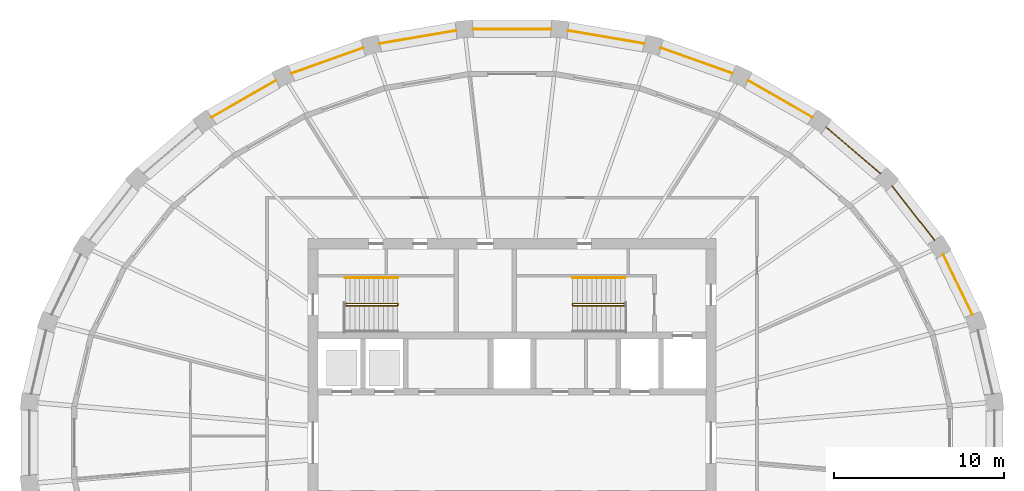
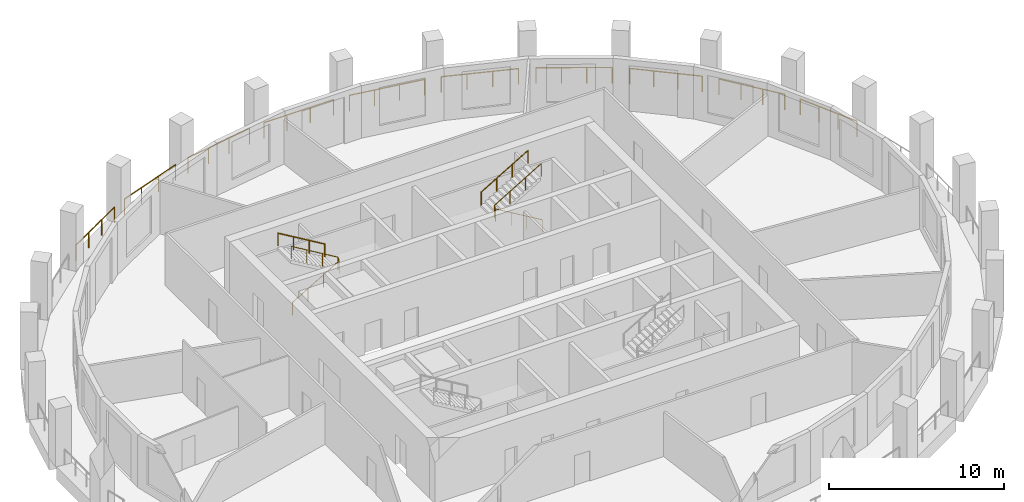
# One storey, part 9 of 10: 14 railings.
"""IFC4 building model written with IfcOpenShell, lengths in metres."""

from ifc_helpers import new_model, si_unit, direction, frame, origin, origin_2d, place, context, subcontext, project, spatial, circle, extrude, material, type_object, element, save


model = new_model("IFC4")

# Units and contexts
model_context = context("Model", 3, precision=1e-05, world=origin(), true_north=direction((0.0, 1.0)))
body_context = subcontext(model_context, "Body", "Model", "MODEL_VIEW")
ifc_project = project(units=[si_unit("LENGTHUNIT", "METRE"), si_unit("AREAUNIT", "SQUARE_METRE"), si_unit("VOLUMEUNIT", "CUBIC_METRE"), si_unit("PLANEANGLEUNIT", "RADIAN"), si_unit("MASSUNIT", "GRAM", prefix="KILO")], contexts=[model_context])

# Site, building, storey
site_placement = place(None, origin())
site = spatial("IfcSite", under=ifc_project, at=site_placement, CompositionType="ELEMENT")
building_placement = place(site_placement, origin())
building = spatial("IfcBuilding", under=site, at=building_placement, Name="Halqa Exchange Tower", CompositionType="ELEMENT")
storey_placement = place(building_placement, frame((0.0, 0.0, 324.300048828125)))
storey = spatial("IfcBuildingStorey", under=building, at=storey_placement, Name="L76", CompositionType="ELEMENT", Elevation=324.300048828125)

# Railings
ifc_material = material(Name="Stainless steel", Category="steel")
railing_type_1 = type_object("IfcRailingType", Name="Guard 1100 stainless steel", PredefinedType="GUARDRAIL", material=ifc_material)
railing_1_placement = place(storey_placement, frame((27.055419921875, 7.54150390625, 0.0)))
element("IfcRailing", 1, at=railing_1_placement, inside=storey, type_object=railing_type_1, Name="Loggia guard 2", PredefinedType="GUARDRAIL", context=body_context, shape_type="SweptSolid", body=[
    extrude(circle(Radius=0.02392578125, at=origin_2d()), frame((0.0, 0.0, 1.076171875), z_axis=(-0.435146748862, 0.900359543158, 0.0), x_axis=(-0.900359543158, -0.435146748862, 0.0)), (0.0, 0.0, 1.0), 3.913818359375),
    extrude(circle(Radius=0.02099609375, at=origin_2d()), origin(), (0.0, 0.0, 1.0), 1.052001953125),
    extrude(circle(Radius=0.02099609375, at=origin_2d()), frame((-0.567626953125, 1.174560546875, 0.0)), (0.0, 0.0, 1.0), 1.052001953125),
    extrude(circle(Radius=0.02099609375, at=origin_2d()), frame((-1.135498046875, 2.349365234375, 0.0)), (0.0, 0.0, 1.0), 1.052001953125),
    extrude(circle(Radius=0.02099609375, at=origin_2d()), frame((-1.703125, 3.52392578125, 0.0)), (0.0, 0.0, 1.0), 1.052001953125),
])
railing_2_placement = place(storey_placement, frame((24.827392578125, 11.909912109375, 0.0)))
element("IfcRailing", 2, at=railing_2_placement, inside=storey, type_object=railing_type_1, Name="Loggia guard 3", PredefinedType="GUARDRAIL", context=body_context, shape_type="SweptSolid", body=[
    extrude(circle(Radius=0.02392578125, at=origin_2d()), frame((0.0, 0.0, 1.076171875), z_axis=(-0.614821078368, 0.788666622594, 0.0), x_axis=(-0.788666622594, -0.614821078368, 0.0)), (0.0, 0.0, 1.0), 4.048828125),
    extrude(circle(Radius=0.02099609375, at=origin_2d()), origin(), (0.0, 0.0, 1.0), 1.052001953125),
    extrude(circle(Radius=0.02099609375, at=origin_2d()), frame((-0.829833984375, 1.064453125, 0.0)), (0.0, 0.0, 1.0), 1.052001953125),
    extrude(circle(Radius=0.02099609375, at=origin_2d()), frame((-1.659423828125, 2.128662109375, 0.0)), (0.0, 0.0, 1.0), 1.052001953125),
    extrude(circle(Radius=0.02099609375, at=origin_2d()), frame((-2.4892578125, 3.193115234375, 0.0)), (0.0, 0.0, 1.0), 1.052001953125),
])
railing_3_placement = place(storey_placement, frame((21.651123046875, 15.82275390625, 0.0)))
element("IfcRailing", 3, at=railing_3_placement, inside=storey, type_object=railing_type_1, Name="Loggia guard 4", PredefinedType="GUARDRAIL", context=body_context, shape_type="SweptSolid", body=[
    extrude(circle(Radius=0.02392578125, at=origin_2d()), frame((0.0, 0.0, 1.076171875), z_axis=(-0.75927300229, 0.650772239723, 0.0), x_axis=(-0.650772239723, -0.75927300229, 0.0)), (0.0, 0.0, 1.0), 4.203125),
    extrude(circle(Radius=0.02099609375, at=origin_2d()), origin(), (0.0, 0.0, 1.0), 1.052001953125),
    extrude(circle(Radius=0.02099609375, at=origin_2d()), frame((-1.063720703125, 0.911865234375, 0.0)), (0.0, 0.0, 1.0), 1.052001953125),
    extrude(circle(Radius=0.02099609375, at=origin_2d()), frame((-2.127685546875, 1.823486328125, 0.0)), (0.0, 0.0, 1.0), 1.052001953125),
    extrude(circle(Radius=0.02099609375, at=origin_2d()), frame((-3.19140625, 2.7353515625, 0.0)), (0.0, 0.0, 1.0), 1.052001953125),
])
railing_4_placement = place(storey_placement, frame((17.646240234375, 19.132080078125, 0.0)))
element("IfcRailing", 4, at=railing_4_placement, inside=storey, type_object=railing_type_1, Name="Loggia guard 5", PredefinedType="GUARDRAIL", context=body_context, shape_type="SweptSolid", body=[
    extrude(circle(Radius=0.02392578125, at=origin_2d()), frame((0.0, 0.0, 1.076171875), z_axis=(-0.867752650497, 0.496996315434, 0.0), x_axis=(-0.496996315434, -0.867752650497, 0.0)), (0.0, 0.0, 1.0), 4.353271484375),
    extrude(circle(Radius=0.02099609375, at=origin_2d()), origin(), (0.0, 0.0, 1.0), 1.052001953125),
    extrude(circle(Radius=0.02099609375, at=origin_2d()), frame((-1.25927734375, 0.72119140625, 0.0)), (0.0, 0.0, 1.0), 1.052001953125),
    extrude(circle(Radius=0.02099609375, at=origin_2d()), frame((-2.518310546875, 1.4423828125, 0.0)), (0.0, 0.0, 1.0), 1.052001953125),
    extrude(circle(Radius=0.02099609375, at=origin_2d()), frame((-3.777587890625, 2.16357421875, 0.0)), (0.0, 0.0, 1.0), 1.052001953125),
])
railing_5_placement = place(storey_placement, frame((12.963623046875, 21.71142578125, 0.0)))
element("IfcRailing", 5, at=railing_5_placement, inside=storey, type_object=railing_type_1, Name="Loggia guard 6", PredefinedType="GUARDRAIL", context=body_context, shape_type="SweptSolid", body=[
    extrude(circle(Radius=0.02392578125, at=origin_2d()), frame((0.0, 0.0, 1.076171875), z_axis=(-0.942364531835, 0.334587939321, 0.0), x_axis=(-0.334587939321, -0.942364531835, 0.0)), (0.0, 0.0, 1.0), 4.477294921875),
    extrude(circle(Radius=0.02099609375, at=origin_2d()), origin(), (0.0, 0.0, 1.0), 1.052001953125),
    extrude(circle(Radius=0.02099609375, at=origin_2d()), frame((-1.406494140625, 0.499267578125, 0.0)), (0.0, 0.0, 1.0), 1.052001953125),
    extrude(circle(Radius=0.02099609375, at=origin_2d()), frame((-2.812744140625, 0.998779296875, 0.0)), (0.0, 0.0, 1.0), 1.052001953125),
    extrude(circle(Radius=0.02099609375, at=origin_2d()), frame((-4.21923828125, 1.498046875, 0.0)), (0.0, 0.0, 1.0), 1.052001953125),
])
railing_6_placement = place(storey_placement, frame((7.7802734375, 23.460693359375, 0.0)))
element("IfcRailing", 6, at=railing_6_placement, inside=storey, type_object=railing_type_1, Name="Loggia guard 7", PredefinedType="GUARDRAIL", context=body_context, shape_type="SweptSolid", body=[
    extrude(circle(Radius=0.02392578125, at=origin_2d()), frame((0.0, 0.0, 1.076171875), z_axis=(-0.985768911013, 0.168106079843, 0.0), x_axis=(-0.168106079843, -0.985768911013, 0.0)), (0.0, 0.0, 1.0), 4.558837890625),
    extrude(circle(Radius=0.02099609375, at=origin_2d()), origin(), (0.0, 0.0, 1.0), 1.052001953125),
    extrude(circle(Radius=0.02099609375, at=origin_2d()), frame((-1.498046875, 0.25537109375, 0.0)), (0.0, 0.0, 1.0), 1.052001953125),
    extrude(circle(Radius=0.02099609375, at=origin_2d()), frame((-2.995849609375, 0.510986328125, 0.0)), (0.0, 0.0, 1.0), 1.052001953125),
    extrude(circle(Radius=0.02099609375, at=origin_2d()), frame((-4.493896484375, 0.766357421875, 0.0)), (0.0, 0.0, 1.0), 1.052001953125),
])
railing_7_placement = place(storey_placement, frame((2.29345703125, 24.31103515625, 0.0)))
element("IfcRailing", 7, at=railing_7_placement, inside=storey, type_object=railing_type_1, Name="Loggia guard 8", PredefinedType="GUARDRAIL", context=body_context, shape_type="SweptSolid", body=[
    extrude(circle(Radius=0.02392578125, at=origin_2d()), frame((0.0, 0.0, 1.076171875), z_axis=(-1.0, 0.0, 0.0), x_axis=(0.0, -1.0, 0.0)), (0.0, 0.0, 1.0), 4.5869140625),
    extrude(circle(Radius=0.02099609375, at=origin_2d()), origin(), (0.0, 0.0, 1.0), 1.052001953125),
    extrude(circle(Radius=0.02099609375, at=origin_2d()), frame((-1.529052734375, 0.0, 0.0)), (0.0, 0.0, 1.0), 1.052001953125),
    extrude(circle(Radius=0.02099609375, at=origin_2d()), frame((-3.057861328125, 0.0, 0.0)), (0.0, 0.0, 1.0), 1.052001953125),
    extrude(circle(Radius=0.02099609375, at=origin_2d()), frame((-4.5869140625, 0.0, 0.0)), (0.0, 0.0, 1.0), 1.052001953125),
])
railing_8_placement = place(storey_placement, frame((-3.286376953125, 24.22705078125, 0.0)))
element("IfcRailing", 8, at=railing_8_placement, inside=storey, type_object=railing_type_1, Name="Loggia guard 9", PredefinedType="GUARDRAIL", context=body_context, shape_type="SweptSolid", body=[
    extrude(circle(Radius=0.02392578125, at=origin_2d()), frame((0.0, 0.0, 1.076171875), z_axis=(-0.985768911013, -0.168106079843, 0.0), x_axis=(0.168106079843, -0.985768911013, 0.0)), (0.0, 0.0, 1.0), 4.558837890625),
    extrude(circle(Radius=0.02099609375, at=origin_2d()), origin(), (0.0, 0.0, 1.0), 1.052001953125),
    extrude(circle(Radius=0.02099609375, at=origin_2d()), frame((-1.498046875, -0.25537109375, 0.0)), (0.0, 0.0, 1.0), 1.052001953125),
    extrude(circle(Radius=0.02099609375, at=origin_2d()), frame((-2.995849609375, -0.510986328125, 0.0)), (0.0, 0.0, 1.0), 1.052001953125),
    extrude(circle(Radius=0.02099609375, at=origin_2d()), frame((-4.493896484375, -0.766357421875, 0.0)), (0.0, 0.0, 1.0), 1.052001953125),
])
railing_9_placement = place(storey_placement, frame((-8.744384765625, 23.20947265625, 0.0)))
element("IfcRailing", 9, at=railing_9_placement, inside=storey, type_object=railing_type_1, Name="Loggia guard 10", PredefinedType="GUARDRAIL", context=body_context, shape_type="SweptSolid", body=[
    extrude(circle(Radius=0.02392578125, at=origin_2d()), frame((0.0, 0.0, 1.076171875), z_axis=(-0.942364531835, -0.334587939321, 0.0), x_axis=(0.334587939321, -0.942364531835, 0.0)), (0.0, 0.0, 1.0), 4.477294921875),
    extrude(circle(Radius=0.02099609375, at=origin_2d()), origin(), (0.0, 0.0, 1.0), 1.052001953125),
    extrude(circle(Radius=0.02099609375, at=origin_2d()), frame((-1.406494140625, -0.499267578125, 0.0)), (0.0, 0.0, 1.0), 1.052001953125),
    extrude(circle(Radius=0.02099609375, at=origin_2d()), frame((-2.812744140625, -0.998779296875, 0.0)), (0.0, 0.0, 1.0), 1.052001953125),
    extrude(circle(Radius=0.02099609375, at=origin_2d()), frame((-4.21923828125, -1.498046875, 0.0)), (0.0, 0.0, 1.0), 1.052001953125),
])
railing_10_placement = place(storey_placement, frame((-13.86865234375, 21.295654296875, 0.0)))
element("IfcRailing", 10, at=railing_10_placement, inside=storey, type_object=railing_type_1, Name="Loggia guard 11", PredefinedType="GUARDRAIL", context=body_context, shape_type="SweptSolid", body=[
    extrude(circle(Radius=0.02392578125, at=origin_2d()), frame((0.0, 0.0, 1.076171875), z_axis=(-0.867752650497, -0.496996315434, 0.0), x_axis=(0.496996315434, -0.867752650497, 0.0)), (0.0, 0.0, 1.0), 4.353271484375),
    extrude(circle(Radius=0.02099609375, at=origin_2d()), origin(), (0.0, 0.0, 1.0), 1.052001953125),
    extrude(circle(Radius=0.02099609375, at=origin_2d()), frame((-1.25927734375, -0.72119140625, 0.0)), (0.0, 0.0, 1.0), 1.052001953125),
    extrude(circle(Radius=0.02099609375, at=origin_2d()), frame((-2.518310546875, -1.4423828125, 0.0)), (0.0, 0.0, 1.0), 1.052001953125),
    extrude(circle(Radius=0.02099609375, at=origin_2d()), frame((-3.777587890625, -2.16357421875, 0.0)), (0.0, 0.0, 1.0), 1.052001953125),
])
railing_type_2 = type_object("IfcRailingType", Name="Stair handrail 900", PredefinedType="HANDRAIL", material=ifc_material)
railing_11_placement = place(storey_placement, frame((-9.800048828125, 8.06005859375, 0.166748046875)))
element("IfcRailing", 11, at=railing_11_placement, inside=storey, type_object=railing_type_2, Name="Handrail ST1.1", PredefinedType="HANDRAIL", context=body_context, shape_type="SweptSolid", body=[
    extrude(circle(Radius=0.02392578125, at=origin_2d()), frame((0.0, 0.0, 0.8759765625), z_axis=(0.859308565015, 0.0, 0.511457515432), x_axis=(0.0, 1.0, 0.0)), (0.0, 0.0, 1.0), 3.58447265625),
    extrude(circle(Radius=0.02392578125, at=origin_2d()), frame((3.080078125, 0.0, 2.708984375), z_axis=(0.0, 0.614500226555, 0.788916644243), x_axis=(-1.0, 0.0, 0.0)), (0.0, 0.0, 1.0), 0.21142578125),
    extrude(circle(Radius=0.02392578125, at=origin_2d()), frame((3.080078125, 0.1298828125, 2.8759765625), z_axis=(-0.859308565015, 0.0, 0.511457515432), x_axis=(0.0, -1.0, 0.0)), (0.0, 0.0, 1.0), 3.58447265625),
    extrude(circle(Radius=0.02099609375, at=origin_2d()), origin(), (0.0, 0.0, 1.0), 0.851806640625),
    extrude(circle(Radius=0.02099609375, at=origin_2d()), frame((1.026611328125, 0.0, 0.611083984375)), (0.0, 0.0, 1.0), 0.851806640625),
    extrude(circle(Radius=0.02099609375, at=origin_2d()), frame((2.053466796875, 0.0, 1.22216796875)), (0.0, 0.0, 1.0), 0.851806640625),
    extrude(circle(Radius=0.02099609375, at=origin_2d()), frame((3.080078125, 0.0, 1.833251953125)), (0.0, 0.0, 1.0), 0.851806640625),
    extrude(circle(Radius=0.02099609375, at=origin_2d()), frame((3.080078125, 0.1298828125, 2.0)), (0.0, 0.0, 1.0), 0.851806640625),
    extrude(circle(Radius=0.02099609375, at=origin_2d()), frame((2.053466796875, 0.1298828125, 2.611083984375)), (0.0, 0.0, 1.0), 0.851806640625),
    extrude(circle(Radius=0.02099609375, at=origin_2d()), frame((1.026611328125, 0.1298828125, 3.22216796875)), (0.0, 0.0, 1.0), 0.851806640625),
    extrude(circle(Radius=0.02099609375, at=origin_2d()), frame((0.0, 0.1298828125, 3.833251953125)), (0.0, 0.0, 1.0), 0.851806640625),
])
railing_12_placement = place(storey_placement, frame((-6.719970703125, 9.699951171875, 2.166748046875)))
element("IfcRailing", 12, at=railing_12_placement, inside=storey, type_object=railing_type_2, Name="Handrail ST1.3", PredefinedType="HANDRAIL", context=body_context, shape_type="SweptSolid", body=[
    extrude(circle(Radius=0.02392578125, at=origin_2d()), frame((0.0, 0.0, 0.8759765625), z_axis=(-0.859308565015, 0.0, 0.511457515432), x_axis=(0.0, -1.0, 0.0)), (0.0, 0.0, 1.0), 3.58447265625),
    extrude(circle(Radius=0.02099609375, at=origin_2d()), origin(), (0.0, 0.0, 1.0), 0.851806640625),
    extrude(circle(Radius=0.02099609375, at=origin_2d()), frame((-1.026611328125, 0.0, 0.611083984375)), (0.0, 0.0, 1.0), 0.851806640625),
    extrude(circle(Radius=0.02099609375, at=origin_2d()), frame((-2.053466796875, 0.0, 1.22216796875)), (0.0, 0.0, 1.0), 0.851806640625),
    extrude(circle(Radius=0.02099609375, at=origin_2d()), frame((-3.080078125, 0.0, 1.833251953125)), (0.0, 0.0, 1.0), 0.851806640625),
])
railing_13_placement = place(storey_placement, frame((6.64990234375, 8.06005859375, 0.166748046875)))
element("IfcRailing", 13, at=railing_13_placement, inside=storey, type_object=railing_type_2, Name="Handrail ST2.1", PredefinedType="HANDRAIL", context=body_context, shape_type="SweptSolid", body=[
    extrude(circle(Radius=0.02392578125, at=origin_2d()), frame((0.0, 0.0, 0.8759765625), z_axis=(-0.859290745958, 0.0, 0.51148745235), x_axis=(0.0, -1.0, 0.0)), (0.0, 0.0, 1.0), 3.584228515625),
    extrude(circle(Radius=0.02392578125, at=origin_2d()), frame((-3.079833984375, 0.0, 2.708984375), z_axis=(0.0, 0.614500226555, 0.788916644243), x_axis=(-1.0, 0.0, 0.0)), (0.0, 0.0, 1.0), 0.21142578125),
    extrude(circle(Radius=0.02392578125, at=origin_2d()), frame((-3.079833984375, 0.1298828125, 2.8759765625), z_axis=(0.859290745958, 0.0, 0.51148745235), x_axis=(0.0, 1.0, 0.0)), (0.0, 0.0, 1.0), 3.584228515625),
    extrude(circle(Radius=0.02099609375, at=origin_2d()), origin(), (0.0, 0.0, 1.0), 0.851806640625),
    extrude(circle(Radius=0.02099609375, at=origin_2d()), frame((-1.026611328125, 0.0, 0.611083984375)), (0.0, 0.0, 1.0), 0.851806640625),
    extrude(circle(Radius=0.02099609375, at=origin_2d()), frame((-2.05322265625, 0.0, 1.22216796875)), (0.0, 0.0, 1.0), 0.851806640625),
    extrude(circle(Radius=0.02099609375, at=origin_2d()), frame((-3.079833984375, 0.0, 1.833251953125)), (0.0, 0.0, 1.0), 0.851806640625),
    extrude(circle(Radius=0.02099609375, at=origin_2d()), frame((-3.079833984375, 0.1298828125, 2.0)), (0.0, 0.0, 1.0), 0.851806640625),
    extrude(circle(Radius=0.02099609375, at=origin_2d()), frame((-2.05322265625, 0.1298828125, 2.611083984375)), (0.0, 0.0, 1.0), 0.851806640625),
    extrude(circle(Radius=0.02099609375, at=origin_2d()), frame((-1.026611328125, 0.1298828125, 3.22216796875)), (0.0, 0.0, 1.0), 0.851806640625),
    extrude(circle(Radius=0.02099609375, at=origin_2d()), frame((0.0, 0.1298828125, 3.833251953125)), (0.0, 0.0, 1.0), 0.851806640625),
])
railing_14_placement = place(storey_placement, frame((3.570068359375, 9.699951171875, 2.166748046875)))
element("IfcRailing", 14, at=railing_14_placement, inside=storey, type_object=railing_type_2, Name="Handrail ST2.3", PredefinedType="HANDRAIL", context=body_context, shape_type="SweptSolid", body=[
    extrude(circle(Radius=0.02392578125, at=origin_2d()), frame((0.0, 0.0, 0.8759765625), z_axis=(0.859290745958, 0.0, 0.51148745235), x_axis=(0.0, 1.0, 0.0)), (0.0, 0.0, 1.0), 3.584228515625),
    extrude(circle(Radius=0.02099609375, at=origin_2d()), origin(), (0.0, 0.0, 1.0), 0.851806640625),
    extrude(circle(Radius=0.02099609375, at=origin_2d()), frame((1.026611328125, 0.0, 0.611083984375)), (0.0, 0.0, 1.0), 0.851806640625),
    extrude(circle(Radius=0.02099609375, at=origin_2d()), frame((2.05322265625, 0.0, 1.22216796875)), (0.0, 0.0, 1.0), 0.851806640625),
    extrude(circle(Radius=0.02099609375, at=origin_2d()), frame((3.079833984375, 0.0, 1.833251953125)), (0.0, 0.0, 1.0), 0.851806640625),
])

save(model, "model.ifc")
